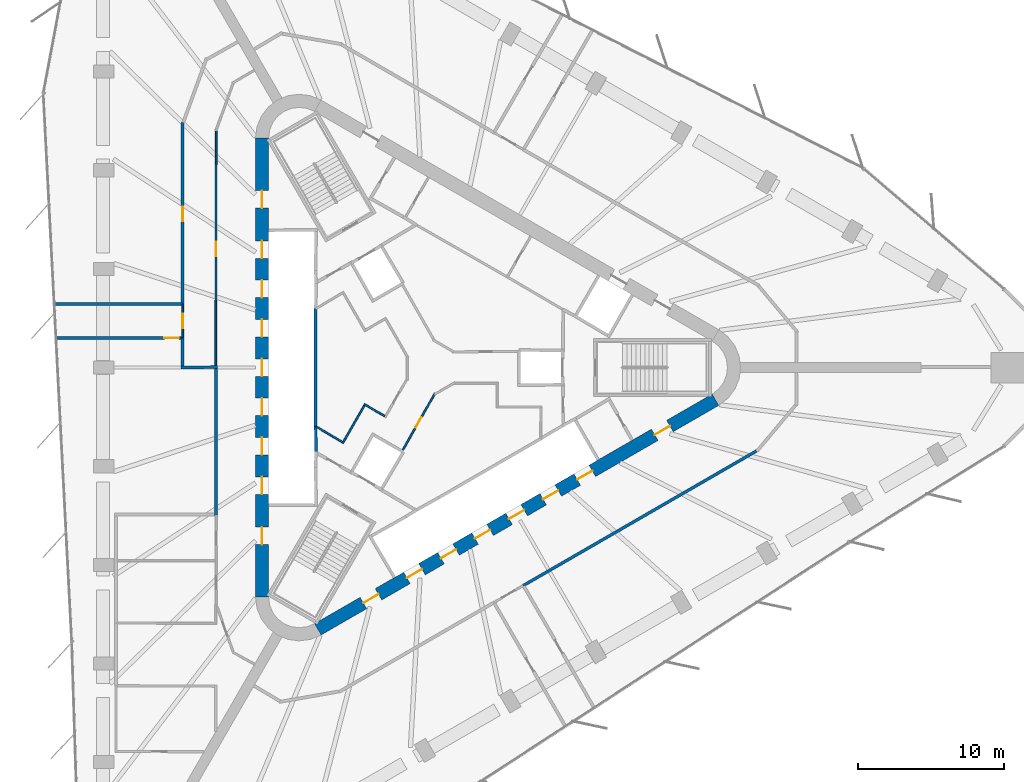
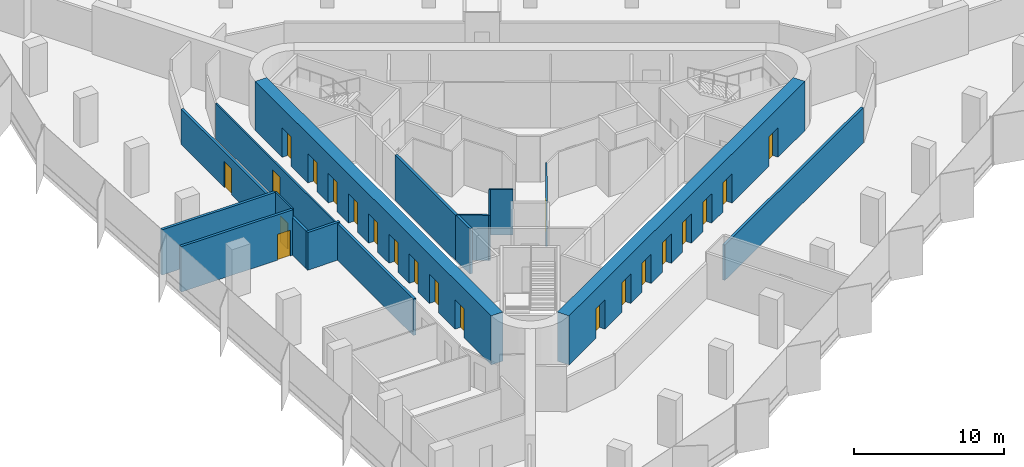
# One storey, part 9 of 13: 22 doors, 17 walls, 22 openings.
"""IFC4 building model written with IfcOpenShell, lengths in metres."""

import ifcopenshell
import ifcopenshell.guid

model = None  # the IFC model being written
_history = None  # IfcOwnerHistory: only IFC2X3 demands one
_inside = {}  # id of a spatial element -> (the spatial element, [elements in it])
_under = {}  # id of a project, library or spatial element -> (it, [spatial elements below it])
_declared = {}  # id of a project -> (the project, [libraries it declares])
_typed = {}  # id of a type object -> (the type object, [elements of that type])
_made_of = {}  # id of a material, layer set ... -> (it, [elements and type objects made of it])


def new_model(schema):
    """Start an empty IFC model of exactly this schema.

    Asked for "IFC4X3", IfcOpenShell would pick the latest addendum, in which some entities
    have other attributes; the version numbers below select the first issue.
    IFC2X3 requires an IfcOwnerHistory on every rooted entity: one is made here for all.
    """
    global model, _history
    if schema == "IFC4X3":
        model = ifcopenshell.file(schema_version=(4, 3, 0, 0))
    else:
        model = ifcopenshell.file(schema=schema)
    _inside.clear()
    _under.clear()
    _declared.clear()
    _typed.clear()
    _made_of.clear()
    _history = None
    if model.schema == "IFC2X3":
        org = make("IfcOrganization", Name="unknown")
        user = make(
            "IfcPersonAndOrganization",
            ThePerson=make("IfcPerson", FamilyName="unknown"),
            TheOrganization=org,
        )
        app = make(
            "IfcApplication",
            ApplicationDeveloper=org,
            Version="unknown",
            ApplicationFullName="unknown",
            ApplicationIdentifier="unknown",
        )
        _history = make(
            "IfcOwnerHistory",
            OwningUser=user,
            OwningApplication=app,
            ChangeAction="ADDED",
            CreationDate=0,
        )
    return model


def make(cls, **values):
    """One entity of the class cls with the attributes given. An attribute that is None is left unset."""
    return model.create_entity(
        cls, **{name: value for name, value in values.items() if value is not None}
    )


def rooted(cls, **values):
    """An entity with a GlobalId (a new one), such as an element, a storey or a relation."""
    return make(cls, GlobalId=ifcopenshell.guid.new(), OwnerHistory=_history, **values)


def si_unit(unit_type, name, prefix=None):
    """IfcSIUnit, for example si_unit("LENGTHUNIT", "METRE", prefix="MILLI")."""
    return make("IfcSIUnit", UnitType=unit_type, Prefix=prefix, Name=name)


def assignment(units):
    """IfcUnitAssignment: the units of a project."""
    return None if units is None else make("IfcUnitAssignment", Units=units)


def point(xyz):
    """IfcCartesianPoint."""
    return None if xyz is None else make("IfcCartesianPoint", Coordinates=xyz)


def direction(xyz):
    """IfcDirection."""
    return None if xyz is None else make("IfcDirection", DirectionRatios=xyz)


def frame(location, z_axis=None, x_axis=None):
    """IfcAxis2Placement3D, a coordinate frame: its origin and axes. An axis left out is left unset."""
    return make(
        "IfcAxis2Placement3D",
        Location=point(location),
        Axis=direction(z_axis),
        RefDirection=direction(x_axis),
    )


def frame_2d(location, x_axis=None):
    """IfcAxis2Placement2D, a coordinate frame in the plane: its origin and x axis."""
    return make(
        "IfcAxis2Placement2D", Location=point(location), RefDirection=direction(x_axis)
    )


def origin():
    """The frame at (0, 0, 0) with its axes left unset."""
    return frame((0.0, 0.0, 0.0))


def place(relative_to, where):
    """IfcLocalPlacement: puts the frame where relative to a parent placement (None: the world)."""
    return make(
        "IfcLocalPlacement", PlacementRelTo=relative_to, RelativePlacement=where
    )


def context(
    kind, dimensions, precision=None, world=None, true_north=None, identifier=None
):
    """IfcGeometricRepresentationContext, for example the 3D "Model" context."""
    return make(
        "IfcGeometricRepresentationContext",
        ContextIdentifier=identifier,
        ContextType=kind,
        CoordinateSpaceDimension=dimensions,
        Precision=precision,
        WorldCoordinateSystem=world,
        TrueNorth=true_north,
    )


def subcontext(parent, identifier, kind, view, scale=None):
    """IfcGeometricRepresentationSubContext, for example "Body" below "Model"."""
    return make(
        "IfcGeometricRepresentationSubContext",
        ContextIdentifier=identifier,
        ContextType=kind,
        ParentContext=parent,
        TargetScale=scale,
        TargetView=view,
    )


def project(units=None, contexts=None):
    """IfcProject with its units and contexts."""
    return rooted(
        "IfcProject",
        Name="project",
        RepresentationContexts=contexts,
        UnitsInContext=assignment(units),
    )


def spatial(cls, under=None, at=None, **own):
    """A site, building, storey or space (cls), placed at a placement, below another one or the project."""
    s = rooted(cls, ObjectPlacement=at, **own)
    if under is not None:
        _under.setdefault(under.id(), (under, []))[1].append(s)
    return s


def profile(cls, at=None, kind="AREA", **sizes):
    """A parametric profile (cls). Its sizes go by their IFC names, for example OverallWidth=200.0."""
    return make(cls, ProfileType=kind, Position=at, **sizes)


def rectangle(**sizes):
    """IfcRectangleProfileDef."""
    return profile("IfcRectangleProfileDef", **sizes)


def extrude(swept, where, along, depth):
    """IfcExtrudedAreaSolid: the profile swept, set in the frame where, extruded along a direction by depth."""
    return make(
        "IfcExtrudedAreaSolid",
        SweptArea=swept,
        Position=where,
        ExtrudedDirection=direction(along),
        Depth=depth,
    )


def shape(context_of_items, identifier, shape_type, items):
    """IfcShapeRepresentation: the items that make up one representation, for example the "Body"."""
    return make(
        "IfcShapeRepresentation",
        ContextOfItems=context_of_items,
        RepresentationIdentifier=identifier,
        RepresentationType=shape_type,
        Items=items,
    )


def material(Name=None, Category=None):
    """IfcMaterial."""
    return make("IfcMaterial", Name=Name, Category=Category)


def layer(
    of_material, thickness, ventilated=None, Name=None, Category=None, Priority=None
):
    """IfcMaterialLayer: one layer of a wall or slab, of a material (None: an air gap)."""
    return make(
        "IfcMaterialLayer",
        Material=of_material,
        LayerThickness=thickness,
        IsVentilated=ventilated,
        Name=Name,
        Category=Category,
        Priority=Priority,
    )


def layer_set(layers, Name=None):
    """IfcMaterialLayerSet."""
    return make("IfcMaterialLayerSet", MaterialLayers=layers, LayerSetName=Name)


def made_of(thing, what):
    """Note that an element or type object is made of a material, layer set ...; save() writes the relation."""
    if what is not None:
        _made_of.setdefault(what.id(), (what, []))[1].append(thing)
    return thing


def type_object(cls, material=None, **own):
    """A type object (cls), such as IfcWallType, which elements share."""
    return made_of(rooted(cls, **own), material)


def element(
    cls,
    number,
    at=None,
    inside=None,
    cuts=None,
    type_object=None,
    material=None,
    context=None,
    identifier="Body",
    shape_type=None,
    held_by="IfcProductDefinitionShape",
    body=None,
    shapes=None,
    **own,
):
    """One element of the class cls, such as IfcWall. Its Tag is "e" and its number.

    at: its placement. inside: the storey or other place that contains it. cuts: it is an
    opening in that element (IfcRelVoidsElement). A single representation is given by context,
    identifier, shape_type and body (its items); several are given by shapes. held_by: the class
    of the entity that holds the representations. save() writes the other relations.
    """
    e = rooted(cls, Tag="e%d" % number, ObjectPlacement=at, **own)
    if body is not None:
        shapes = [shape(context, identifier, shape_type, body)]
    if shapes is not None:
        e.Representation = make(held_by, Representations=shapes)
    if inside is not None:
        _inside.setdefault(inside.id(), (inside, []))[1].append(e)
    if cuts is not None:
        rooted(
            "IfcRelVoidsElement", RelatingBuildingElement=cuts, RelatedOpeningElement=e
        )
    if type_object is not None:
        _typed.setdefault(type_object.id(), (type_object, []))[1].append(e)
    return made_of(e, material)


def fill(opening, filler):
    """IfcRelFillsElement: the door or window that sits in an opening."""
    return rooted(
        "IfcRelFillsElement",
        RelatingOpeningElement=opening,
        RelatedBuildingElement=filler,
    )


def aggregate(whole, parts):
    """IfcRelAggregates: a whole, such as a stair, and the parts it consists of."""
    return rooted("IfcRelAggregates", RelatingObject=whole, RelatedObjects=parts)


def save(model, path):
    """Write the relations noted so far, then the file.

    IfcRelAggregates (storeys below a building ...), IfcRelContainedInSpatialStructure (elements
    in a storey), IfcRelDefinesByType, IfcRelAssociatesMaterial and IfcRelDeclares: one each for
    every whole, place, type object, material and project.
    """
    for whole, parts in _under.values():
        aggregate(whole, parts)
    for where, things in _inside.values():
        rooted(
            "IfcRelContainedInSpatialStructure",
            RelatedElements=things,
            RelatingStructure=where,
        )
    for kind, things in _typed.values():
        rooted("IfcRelDefinesByType", RelatedObjects=things, RelatingType=kind)
    for what, things in _made_of.values():
        rooted("IfcRelAssociatesMaterial", RelatedObjects=things, RelatingMaterial=what)
    for by, libraries in _declared.values():
        rooted("IfcRelDeclares", RelatingContext=by, RelatedDefinitions=libraries)
    model.write(path)


model = new_model("IFC4")

# Units and contexts
model_context = context("Model", 3, precision=1e-05, world=origin(), true_north=direction((0.0, 1.0)))
body_context = subcontext(model_context, "Body", "Model", "MODEL_VIEW")
ifc_project = project(units=[si_unit("LENGTHUNIT", "METRE"), si_unit("AREAUNIT", "SQUARE_METRE"), si_unit("VOLUMEUNIT", "CUBIC_METRE"), si_unit("PLANEANGLEUNIT", "RADIAN"), si_unit("MASSUNIT", "GRAM", prefix="KILO")], contexts=[model_context])

# Site, building, storey
site_placement = place(None, origin())
site = spatial("IfcSite", under=ifc_project, at=site_placement, CompositionType="ELEMENT")
building_placement = place(site_placement, origin())
building = spatial("IfcBuilding", under=site, at=building_placement, Name="Tanit Gate Tower", CompositionType="ELEMENT")
storey_placement = place(building_placement, frame((0.0, 0.0, 169.199951171875)))
storey = spatial("IfcBuildingStorey", under=building, at=storey_placement, Name="L36", CompositionType="ELEMENT", Elevation=169.199951171875)

# Wall, openings, doors
ifc_material_1 = material(Name="Concrete C50/60", Category="concrete")
ifc_layer_1 = layer(ifc_material_1, 0.89990234375)
ifc_layer_set_1 = layer_set([ifc_layer_1], Name="CORE WALL 900 C50/60")
wall_type_1 = type_object("IfcWallType", Name="CORE WALL 900 C50/60", PredefinedType="SHEAR", material=ifc_layer_set_1)
wall_1_placement = place(storey_placement, frame((-11.64990234375, 15.76171875, 0.0), z_axis=(0.0, 0.0, 1.0), x_axis=(0.0, -1.0, 0.0)))
wall_1 = element("IfcWall", 1, at=wall_1_placement, inside=storey, type_object=wall_type_1, Name="CORE WALL", PredefinedType="SHEAR", context=body_context, shape_type="SweptSolid", body=[
    extrude(rectangle(XDim=31.5234375, YDim=0.89990234375, at=frame_2d((15.76171875, 0.0))), origin(), (0.0, 0.0, 1.0), 4.0),
])
opening_1_placement = place(wall_1_placement, frame((7.061767578125, 0.0, 0.0)))
opening_1 = element("IfcOpeningElement", 2, at=opening_1_placement, cuts=wall_1, Name="Opening LDML1-S09", PredefinedType="OPENING", context=body_context, shape_type="SweptSolid", body=[
    extrude(rectangle(XDim=1.199951171875, YDim=2.39990234375, at=frame_2d((0.60009765625, 1.199951171875))), frame((0.0, 0.4599609375, 0.0), z_axis=(0.0, -1.0, 0.0), x_axis=(1.0, 0.0, 0.0)), (0.0, 0.0, 1.0), 0.919921875),
])
opening_2_placement = place(wall_1_placement, frame((9.76171875, 0.0, 0.0)))
opening_2 = element("IfcOpeningElement", 3, at=opening_2_placement, cuts=wall_1, Name="Opening LDML2-S09", PredefinedType="OPENING", context=body_context, shape_type="SweptSolid", body=[
    extrude(rectangle(XDim=1.199951171875, YDim=2.39990234375, at=frame_2d((0.60009765625, 1.199951171875))), frame((0.0, 0.4599609375, 0.0), z_axis=(0.0, -1.0, 0.0), x_axis=(1.0, 0.0, 0.0)), (0.0, 0.0, 1.0), 0.919921875),
])
opening_3_placement = place(wall_1_placement, frame((12.461669921875, 0.0, 0.0)))
opening_3 = element("IfcOpeningElement", 4, at=opening_3_placement, cuts=wall_1, Name="Opening LDML3-S09", PredefinedType="OPENING", context=body_context, shape_type="SweptSolid", body=[
    extrude(rectangle(XDim=1.199951171875, YDim=2.39990234375, at=frame_2d((0.60009765625, 1.199951171875))), frame((0.0, 0.4599609375, 0.0), z_axis=(0.0, -1.0, 0.0), x_axis=(1.0, 0.0, 0.0)), (0.0, 0.0, 1.0), 0.919921875),
])
opening_4_placement = place(wall_1_placement, frame((15.16162109375, 0.0, 0.0)))
opening_4 = element("IfcOpeningElement", 5, at=opening_4_placement, cuts=wall_1, Name="Opening LDML4-S09", PredefinedType="OPENING", context=body_context, shape_type="SweptSolid", body=[
    extrude(rectangle(XDim=1.199951171875, YDim=2.39990234375, at=frame_2d((0.60009765625, 1.199951171875))), frame((0.0, 0.4599609375, 0.0), z_axis=(0.0, -1.0, 0.0), x_axis=(1.0, 0.0, 0.0)), (0.0, 0.0, 1.0), 0.919921875),
])
opening_5_placement = place(wall_1_placement, frame((17.86181640625, 0.0, 0.0)))
opening_5 = element("IfcOpeningElement", 6, at=opening_5_placement, cuts=wall_1, Name="Opening LDML5-S09", PredefinedType="OPENING", context=body_context, shape_type="SweptSolid", body=[
    extrude(rectangle(XDim=1.199951171875, YDim=2.39990234375, at=frame_2d((0.60009765625, 1.199951171875))), frame((0.0, 0.4599609375, 0.0), z_axis=(0.0, -1.0, 0.0), x_axis=(1.0, 0.0, 0.0)), (0.0, 0.0, 1.0), 0.919921875),
])
opening_6_placement = place(wall_1_placement, frame((20.561767578125, 0.0, 0.0)))
opening_6 = element("IfcOpeningElement", 7, at=opening_6_placement, cuts=wall_1, Name="Opening LDML6-S09", PredefinedType="OPENING", context=body_context, shape_type="SweptSolid", body=[
    extrude(rectangle(XDim=1.199951171875, YDim=2.39990234375, at=frame_2d((0.60009765625, 1.199951171875))), frame((0.0, 0.4599609375, 0.0), z_axis=(0.0, -1.0, 0.0), x_axis=(1.0, 0.0, 0.0)), (0.0, 0.0, 1.0), 0.919921875),
])
opening_7_placement = place(wall_1_placement, frame((23.26171875, 0.0, 0.0)))
opening_7 = element("IfcOpeningElement", 8, at=opening_7_placement, cuts=wall_1, Name="Opening LDML7-S09", PredefinedType="OPENING", context=body_context, shape_type="SweptSolid", body=[
    extrude(rectangle(XDim=1.199951171875, YDim=2.39990234375, at=frame_2d((0.60009765625, 1.199951171875))), frame((0.0, 0.4599609375, 0.0), z_axis=(0.0, -1.0, 0.0), x_axis=(1.0, 0.0, 0.0)), (0.0, 0.0, 1.0), 0.919921875),
])
opening_8_placement = place(wall_1_placement, frame((3.61181640625, 0.0, 0.0)))
opening_8 = element("IfcOpeningElement", 9, at=opening_8_placement, cuts=wall_1, Name="Opening F12-S09-FL2", PredefinedType="OPENING", context=body_context, shape_type="SweptSolid", body=[
    extrude(rectangle(XDim=1.199951171875, YDim=2.39990234375, at=frame_2d((0.60009765625, 1.199951171875))), frame((0.0, 0.4599609375, 0.0), z_axis=(0.0, -1.0, 0.0), x_axis=(1.0, 0.0, 0.0)), (0.0, 0.0, 1.0), 0.919921875),
])
opening_9_placement = place(wall_1_placement, frame((26.711669921875, 0.0, 0.0)))
opening_9 = element("IfcOpeningElement", 10, at=opening_9_placement, cuts=wall_1, Name="Opening F12-S09-S3", PredefinedType="OPENING", context=body_context, shape_type="SweptSolid", body=[
    extrude(rectangle(XDim=1.199951171875, YDim=2.39990234375, at=frame_2d((0.60009765625, 1.199951171875))), frame((0.0, 0.4599609375, 0.0), z_axis=(0.0, -1.0, 0.0), x_axis=(1.0, 0.0, 0.0)), (0.0, 0.0, 1.0), 0.919921875),
])
ifc_material_2 = material(Name="Fire-rated steel door leaf", Category="steel")
door_type_1 = type_object("IfcDoorType", Name="INT-DOOR-FIRE-LOBBY-1200", OperationType="NOTDEFINED", PredefinedType="USERDEFINED", material=ifc_material_2)
door_1_placement = place(opening_8_placement, origin())
door_1 = element("IfcDoor", 11, at=door_1_placement, inside=storey, type_object=door_type_1, Name="Door F12-S09-FL2", ObjectType="FIRE DOOR", OperationType="SINGLE_SWING_RIGHT", OverallHeight=2.39990234375, OverallWidth=1.199951171875, PredefinedType="USERDEFINED", context=body_context, shape_type="SweptSolid", body=[
    extrude(rectangle(XDim=1.199951171875, YDim=2.39990234375, at=frame_2d((0.60009765625, 1.199951171875))), frame((0.0, 0.02490234375, 0.0), z_axis=(0.0, -1.0, 0.0), x_axis=(1.0, 0.0, 0.0)), (0.0, 0.0, 1.0), 0.050048828125),
])
fill(opening_8, door_1)
door_2_placement = place(opening_9_placement, origin())
door_2 = element("IfcDoor", 12, at=door_2_placement, inside=storey, type_object=door_type_1, Name="Door F12-S09-S3", ObjectType="FIRE DOOR", OperationType="SINGLE_SWING_RIGHT", OverallHeight=2.39990234375, OverallWidth=1.199951171875, PredefinedType="USERDEFINED", context=body_context, shape_type="SweptSolid", body=[
    extrude(rectangle(XDim=1.199951171875, YDim=2.39990234375, at=frame_2d((0.60009765625, 1.199951171875))), frame((0.0, 0.02490234375, 0.0), z_axis=(0.0, -1.0, 0.0), x_axis=(1.0, 0.0, 0.0)), (0.0, 0.0, 1.0), 0.050048828125),
])
fill(opening_9, door_2)
ifc_material_3 = material(Name="Stainless steel sliding door leaf", Category="steel")
door_type_2 = type_object("IfcDoorType", Name="INT-DOOR-LANDING-1200", OperationType="NOTDEFINED", PredefinedType="USERDEFINED", material=ifc_material_3)
door_3_placement = place(opening_1_placement, origin())
door_3 = element("IfcDoor", 13, at=door_3_placement, inside=storey, type_object=door_type_2, Name="Door LDML1-S09", ObjectType="LANDING DOOR", OperationType="SLIDING_TO_LEFT", OverallHeight=2.39990234375, OverallWidth=1.199951171875, PredefinedType="USERDEFINED", context=body_context, shape_type="SweptSolid", body=[
    extrude(rectangle(XDim=1.199951171875, YDim=2.39990234375, at=frame_2d((0.60009765625, 1.199951171875))), frame((0.0, 0.02490234375, 0.0), z_axis=(0.0, -1.0, 0.0), x_axis=(1.0, 0.0, 0.0)), (0.0, 0.0, 1.0), 0.050048828125),
])
fill(opening_1, door_3)
door_4_placement = place(opening_2_placement, origin())
door_4 = element("IfcDoor", 14, at=door_4_placement, inside=storey, type_object=door_type_2, Name="Door LDML2-S09", ObjectType="LANDING DOOR", OperationType="SLIDING_TO_LEFT", OverallHeight=2.39990234375, OverallWidth=1.199951171875, PredefinedType="USERDEFINED", context=body_context, shape_type="SweptSolid", body=[
    extrude(rectangle(XDim=1.199951171875, YDim=2.39990234375, at=frame_2d((0.60009765625, 1.199951171875))), frame((0.0, 0.02490234375, 0.0), z_axis=(0.0, -1.0, 0.0), x_axis=(1.0, 0.0, 0.0)), (0.0, 0.0, 1.0), 0.050048828125),
])
fill(opening_2, door_4)
door_5_placement = place(opening_3_placement, origin())
door_5 = element("IfcDoor", 15, at=door_5_placement, inside=storey, type_object=door_type_2, Name="Door LDML3-S09", ObjectType="LANDING DOOR", OperationType="SLIDING_TO_LEFT", OverallHeight=2.39990234375, OverallWidth=1.199951171875, PredefinedType="USERDEFINED", context=body_context, shape_type="SweptSolid", body=[
    extrude(rectangle(XDim=1.199951171875, YDim=2.39990234375, at=frame_2d((0.60009765625, 1.199951171875))), frame((0.0, 0.02490234375, 0.0), z_axis=(0.0, -1.0, 0.0), x_axis=(1.0, 0.0, 0.0)), (0.0, 0.0, 1.0), 0.050048828125),
])
fill(opening_3, door_5)
door_6_placement = place(opening_4_placement, origin())
door_6 = element("IfcDoor", 16, at=door_6_placement, inside=storey, type_object=door_type_2, Name="Door LDML4-S09", ObjectType="LANDING DOOR", OperationType="SLIDING_TO_LEFT", OverallHeight=2.39990234375, OverallWidth=1.199951171875, PredefinedType="USERDEFINED", context=body_context, shape_type="SweptSolid", body=[
    extrude(rectangle(XDim=1.199951171875, YDim=2.39990234375, at=frame_2d((0.60009765625, 1.199951171875))), frame((0.0, 0.02490234375, 0.0), z_axis=(0.0, -1.0, 0.0), x_axis=(1.0, 0.0, 0.0)), (0.0, 0.0, 1.0), 0.050048828125),
])
fill(opening_4, door_6)
door_7_placement = place(opening_5_placement, origin())
door_7 = element("IfcDoor", 17, at=door_7_placement, inside=storey, type_object=door_type_2, Name="Door LDML5-S09", ObjectType="LANDING DOOR", OperationType="SLIDING_TO_LEFT", OverallHeight=2.39990234375, OverallWidth=1.199951171875, PredefinedType="USERDEFINED", context=body_context, shape_type="SweptSolid", body=[
    extrude(rectangle(XDim=1.199951171875, YDim=2.39990234375, at=frame_2d((0.60009765625, 1.199951171875))), frame((0.0, 0.02490234375, 0.0), z_axis=(0.0, -1.0, 0.0), x_axis=(1.0, 0.0, 0.0)), (0.0, 0.0, 1.0), 0.050048828125),
])
fill(opening_5, door_7)
door_8_placement = place(opening_6_placement, origin())
door_8 = element("IfcDoor", 18, at=door_8_placement, inside=storey, type_object=door_type_2, Name="Door LDML6-S09", ObjectType="LANDING DOOR", OperationType="SLIDING_TO_LEFT", OverallHeight=2.39990234375, OverallWidth=1.199951171875, PredefinedType="USERDEFINED", context=body_context, shape_type="SweptSolid", body=[
    extrude(rectangle(XDim=1.199951171875, YDim=2.39990234375, at=frame_2d((0.60009765625, 1.199951171875))), frame((0.0, 0.02490234375, 0.0), z_axis=(0.0, -1.0, 0.0), x_axis=(1.0, 0.0, 0.0)), (0.0, 0.0, 1.0), 0.050048828125),
])
fill(opening_6, door_8)
door_9_placement = place(opening_7_placement, origin())
door_9 = element("IfcDoor", 19, at=door_9_placement, inside=storey, type_object=door_type_2, Name="Door LDML7-S09", ObjectType="LANDING DOOR", OperationType="SLIDING_TO_LEFT", OverallHeight=2.39990234375, OverallWidth=1.199951171875, PredefinedType="USERDEFINED", context=body_context, shape_type="SweptSolid", body=[
    extrude(rectangle(XDim=1.199951171875, YDim=2.39990234375, at=frame_2d((0.60009765625, 1.199951171875))), frame((0.0, 0.02490234375, 0.0), z_axis=(0.0, -1.0, 0.0), x_axis=(1.0, 0.0, 0.0)), (0.0, 0.0, 1.0), 0.050048828125),
])
fill(opening_7, door_9)

wall_2_placement = place(storey_placement, frame((-7.824951171875, -17.969970703125, 0.0), z_axis=(0.0, 0.0, 1.0), x_axis=(0.866028369851, 0.499994862586, 0.0)))
wall_2 = element("IfcWall", 20, at=wall_2_placement, inside=storey, type_object=wall_type_1, Name="CORE WALL", PredefinedType="SHEAR", context=body_context, shape_type="SweptSolid", body=[
    extrude(rectangle(XDim=31.523193359375, YDim=0.89990234375, at=frame_2d((15.76171875, 0.0))), origin(), (0.0, 0.0, 1.0), 4.0),
])
opening_10_placement = place(wall_2_placement, frame((7.061767578125, 0.0, 0.0)))
opening_10 = element("IfcOpeningElement", 21, at=opening_10_placement, cuts=wall_2, Name="Opening LDSX1-S09", PredefinedType="OPENING", context=body_context, shape_type="SweptSolid", body=[
    extrude(rectangle(XDim=1.199951171875, YDim=2.39990234375, at=frame_2d((0.60009765625, 1.199951171875))), frame((0.0, 0.4599609375, 0.0), z_axis=(0.0, -1.0, 0.0), x_axis=(1.0, 0.0, 0.0)), (0.0, 0.0, 1.0), 0.919921875),
])
opening_11_placement = place(wall_2_placement, frame((9.76171875, 0.0, 0.0)))
opening_11 = element("IfcOpeningElement", 22, at=opening_11_placement, cuts=wall_2, Name="Opening LDSX2-S09", PredefinedType="OPENING", context=body_context, shape_type="SweptSolid", body=[
    extrude(rectangle(XDim=1.199951171875, YDim=2.39990234375, at=frame_2d((0.60009765625, 1.199951171875))), frame((0.0, 0.4599609375, 0.0), z_axis=(0.0, -1.0, 0.0), x_axis=(1.0, 0.0, 0.0)), (0.0, 0.0, 1.0), 0.919921875),
])
opening_12_placement = place(wall_2_placement, frame((12.461669921875, 0.0, 0.0)))
opening_12 = element("IfcOpeningElement", 23, at=opening_12_placement, cuts=wall_2, Name="Opening LDSX3-S09", PredefinedType="OPENING", context=body_context, shape_type="SweptSolid", body=[
    extrude(rectangle(XDim=1.199951171875, YDim=2.39990234375, at=frame_2d((0.60009765625, 1.199951171875))), frame((0.0, 0.4599609375, 0.0), z_axis=(0.0, -1.0, 0.0), x_axis=(1.0, 0.0, 0.0)), (0.0, 0.0, 1.0), 0.919921875),
])
opening_13_placement = place(wall_2_placement, frame((15.16162109375, 0.0, 0.0)))
opening_13 = element("IfcOpeningElement", 24, at=opening_13_placement, cuts=wall_2, Name="Opening LDSX4-S09", PredefinedType="OPENING", context=body_context, shape_type="SweptSolid", body=[
    extrude(rectangle(XDim=1.199951171875, YDim=2.39990234375, at=frame_2d((0.60009765625, 1.199951171875))), frame((0.0, 0.4599609375, 0.0), z_axis=(0.0, -1.0, 0.0), x_axis=(1.0, 0.0, 0.0)), (0.0, 0.0, 1.0), 0.919921875),
])
opening_14_placement = place(wall_2_placement, frame((17.861572265625, 0.0, 0.0)))
opening_14 = element("IfcOpeningElement", 25, at=opening_14_placement, cuts=wall_2, Name="Opening LDSV1-S09", PredefinedType="OPENING", context=body_context, shape_type="SweptSolid", body=[
    extrude(rectangle(XDim=1.199951171875, YDim=2.39990234375, at=frame_2d((0.60009765625, 1.199951171875))), frame((0.0, 0.4599609375, 0.0), z_axis=(0.0, -1.0, 0.0), x_axis=(1.0, 0.0, 0.0)), (0.0, 0.0, 1.0), 0.919921875),
])
opening_15_placement = place(wall_2_placement, frame((20.561767578125, 0.0, 0.0)))
opening_15 = element("IfcOpeningElement", 26, at=opening_15_placement, cuts=wall_2, Name="Opening LDSV2-S09", PredefinedType="OPENING", context=body_context, shape_type="SweptSolid", body=[
    extrude(rectangle(XDim=1.199951171875, YDim=2.39990234375, at=frame_2d((0.60009765625, 1.199951171875))), frame((0.0, 0.4599609375, 0.0), z_axis=(0.0, -1.0, 0.0), x_axis=(1.0, 0.0, 0.0)), (0.0, 0.0, 1.0), 0.919921875),
])
opening_16_placement = place(wall_2_placement, frame((26.711669921875, 0.0, 0.0)))
opening_16 = element("IfcOpeningElement", 27, at=opening_16_placement, cuts=wall_2, Name="Opening F12-S09-S1", PredefinedType="OPENING", context=body_context, shape_type="SweptSolid", body=[
    extrude(rectangle(XDim=1.199951171875, YDim=2.39990234375, at=frame_2d((0.60009765625, 1.199951171875))), frame((0.0, 0.4599609375, 0.0), z_axis=(0.0, -1.0, 0.0), x_axis=(1.0, 0.0, 0.0)), (0.0, 0.0, 1.0), 0.919921875),
])
opening_17_placement = place(wall_2_placement, frame((3.611572265625, 0.0, 0.0)))
opening_17 = element("IfcOpeningElement", 28, at=opening_17_placement, cuts=wall_2, Name="Opening F12-S09-FL3", PredefinedType="OPENING", context=body_context, shape_type="SweptSolid", body=[
    extrude(rectangle(XDim=1.199951171875, YDim=2.39990234375, at=frame_2d((0.60009765625, 1.199951171875))), frame((0.0, 0.4599609375, 0.0), z_axis=(0.0, -1.0, 0.0), x_axis=(1.0, 0.0, 0.0)), (0.0, 0.0, 1.0), 0.919921875),
])
door_10_placement = place(opening_16_placement, origin())
door_10 = element("IfcDoor", 29, at=door_10_placement, inside=storey, type_object=door_type_1, Name="Door F12-S09-S1", ObjectType="FIRE DOOR", OperationType="SINGLE_SWING_RIGHT", OverallHeight=2.39990234375, OverallWidth=1.199951171875, PredefinedType="USERDEFINED", context=body_context, shape_type="SweptSolid", body=[
    extrude(rectangle(XDim=1.199951171875, YDim=2.39990234375, at=frame_2d((0.60009765625, 1.199951171875))), frame((0.0, 0.02490234375, 0.0), z_axis=(0.0, -1.0, 0.0), x_axis=(1.0, 0.0, 0.0)), (0.0, 0.0, 1.0), 0.050048828125),
])
fill(opening_16, door_10)
door_11_placement = place(opening_17_placement, origin())
door_11 = element("IfcDoor", 30, at=door_11_placement, inside=storey, type_object=door_type_1, Name="Door F12-S09-FL3", ObjectType="FIRE DOOR", OperationType="SINGLE_SWING_RIGHT", OverallHeight=2.39990234375, OverallWidth=1.199951171875, PredefinedType="USERDEFINED", context=body_context, shape_type="SweptSolid", body=[
    extrude(rectangle(XDim=1.199951171875, YDim=2.39990234375, at=frame_2d((0.60009765625, 1.199951171875))), frame((0.0, 0.02490234375, 0.0), z_axis=(0.0, -1.0, 0.0), x_axis=(1.0, 0.0, 0.0)), (0.0, 0.0, 1.0), 0.050048828125),
])
fill(opening_17, door_11)
door_12_placement = place(opening_10_placement, origin())
door_12 = element("IfcDoor", 31, at=door_12_placement, inside=storey, type_object=door_type_2, Name="Door LDSX1-S09", ObjectType="LANDING DOOR", OperationType="SLIDING_TO_LEFT", OverallHeight=2.39990234375, OverallWidth=1.199951171875, PredefinedType="USERDEFINED", context=body_context, shape_type="SweptSolid", body=[
    extrude(rectangle(XDim=1.199951171875, YDim=2.39990234375, at=frame_2d((0.60009765625, 1.199951171875))), frame((0.0, 0.02490234375, 0.0), z_axis=(0.0, -1.0, 0.0), x_axis=(1.0, 0.0, 0.0)), (0.0, 0.0, 1.0), 0.050048828125),
])
fill(opening_10, door_12)
door_13_placement = place(opening_11_placement, origin())
door_13 = element("IfcDoor", 32, at=door_13_placement, inside=storey, type_object=door_type_2, Name="Door LDSX2-S09", ObjectType="LANDING DOOR", OperationType="SLIDING_TO_LEFT", OverallHeight=2.39990234375, OverallWidth=1.199951171875, PredefinedType="USERDEFINED", context=body_context, shape_type="SweptSolid", body=[
    extrude(rectangle(XDim=1.199951171875, YDim=2.39990234375, at=frame_2d((0.60009765625, 1.199951171875))), frame((0.0, 0.02490234375, 0.0), z_axis=(0.0, -1.0, 0.0), x_axis=(1.0, 0.0, 0.0)), (0.0, 0.0, 1.0), 0.050048828125),
])
fill(opening_11, door_13)
door_14_placement = place(opening_12_placement, origin())
door_14 = element("IfcDoor", 33, at=door_14_placement, inside=storey, type_object=door_type_2, Name="Door LDSX3-S09", ObjectType="LANDING DOOR", OperationType="SLIDING_TO_LEFT", OverallHeight=2.39990234375, OverallWidth=1.199951171875, PredefinedType="USERDEFINED", context=body_context, shape_type="SweptSolid", body=[
    extrude(rectangle(XDim=1.199951171875, YDim=2.39990234375, at=frame_2d((0.60009765625, 1.199951171875))), frame((0.0, 0.02490234375, 0.0), z_axis=(0.0, -1.0, 0.0), x_axis=(1.0, 0.0, 0.0)), (0.0, 0.0, 1.0), 0.050048828125),
])
fill(opening_12, door_14)
door_15_placement = place(opening_13_placement, origin())
door_15 = element("IfcDoor", 34, at=door_15_placement, inside=storey, type_object=door_type_2, Name="Door LDSX4-S09", ObjectType="LANDING DOOR", OperationType="SLIDING_TO_LEFT", OverallHeight=2.39990234375, OverallWidth=1.199951171875, PredefinedType="USERDEFINED", context=body_context, shape_type="SweptSolid", body=[
    extrude(rectangle(XDim=1.199951171875, YDim=2.39990234375, at=frame_2d((0.60009765625, 1.199951171875))), frame((0.0, 0.02490234375, 0.0), z_axis=(0.0, -1.0, 0.0), x_axis=(1.0, 0.0, 0.0)), (0.0, 0.0, 1.0), 0.050048828125),
])
fill(opening_13, door_15)
door_16_placement = place(opening_14_placement, origin())
door_16 = element("IfcDoor", 35, at=door_16_placement, inside=storey, type_object=door_type_2, Name="Door LDSV1-S09", ObjectType="LANDING DOOR", OperationType="SLIDING_TO_LEFT", OverallHeight=2.39990234375, OverallWidth=1.199951171875, PredefinedType="USERDEFINED", context=body_context, shape_type="SweptSolid", body=[
    extrude(rectangle(XDim=1.199951171875, YDim=2.39990234375, at=frame_2d((0.60009765625, 1.199951171875))), frame((0.0, 0.02490234375, 0.0), z_axis=(0.0, -1.0, 0.0), x_axis=(1.0, 0.0, 0.0)), (0.0, 0.0, 1.0), 0.050048828125),
])
fill(opening_14, door_16)
door_17_placement = place(opening_15_placement, origin())
door_17 = element("IfcDoor", 36, at=door_17_placement, inside=storey, type_object=door_type_2, Name="Door LDSV2-S09", ObjectType="LANDING DOOR", OperationType="SLIDING_TO_LEFT", OverallHeight=2.39990234375, OverallWidth=1.199951171875, PredefinedType="USERDEFINED", context=body_context, shape_type="SweptSolid", body=[
    extrude(rectangle(XDim=1.199951171875, YDim=2.39990234375, at=frame_2d((0.60009765625, 1.199951171875))), frame((0.0, 0.02490234375, 0.0), z_axis=(0.0, -1.0, 0.0), x_axis=(1.0, 0.0, 0.0)), (0.0, 0.0, 1.0), 0.050048828125),
])
fill(opening_15, door_17)

# Wall
ifc_material_4 = material(Name="Fire-rated gypsum board partition")
ifc_layer_2 = layer(ifc_material_4, 0.199951171875)
ifc_layer_set_2 = layer_set([ifc_layer_2], Name="INT-WALL-COMPARTMENT")
wall_type_2 = type_object("IfcWallType", Name="INT-WALL-COMPARTMENT", PredefinedType="PARTITIONING", material=ifc_layer_set_2)
wall_3_placement = place(storey_placement, frame((-17.199951171875, -0.001220703125, 0.0), z_axis=(0.0, 0.0, 1.0), x_axis=(0.999915662945, 0.012987185857, 0.0)))
element("IfcWall", 37, at=wall_3_placement, inside=storey, type_object=wall_type_2, Name="Wall Compartment W087", PredefinedType="PARTITIONING", context=body_context, shape_type="SweptSolid", body=[
    extrude(rectangle(XDim=2.500244140625, YDim=0.199951171875, at=frame_2d((1.25, 0.0))), origin(), (0.0, 0.0, 1.0), 3.070068359375),
])

# Wall, opening, door
wall_4_placement = place(storey_placement, frame((-17.10009765625, 16.82275390625, 0.0), z_axis=(0.0, 0.0, 1.0), x_axis=(0.0, -1.0, 0.0)))
wall_4 = element("IfcWall", 38, at=wall_4_placement, inside=storey, type_object=wall_type_2, Name="Wall Compartment W089", PredefinedType="PARTITIONING", context=body_context, shape_type="SweptSolid", body=[
    extrude(rectangle(XDim=12.47265625, YDim=0.199951171875, at=frame_2d((6.236328125, 0.0))), origin(), (0.0, 0.0, 1.0), 2.880126953125),
])
opening_18_placement = place(wall_4_placement, frame((5.7763671875, 0.0, 0.0)))
opening_18 = element("IfcOpeningElement", 39, at=opening_18_placement, cuts=wall_4, Name="Opening F10-S09-25", PredefinedType="OPENING", context=body_context, shape_type="SweptSolid", body=[
    extrude(rectangle(XDim=1.0, YDim=2.10009765625, at=frame_2d((0.5, 1.050048828125))), frame((0.0, 0.10986328125, 0.0), z_axis=(0.0, -1.0, 0.0), x_axis=(1.0, 0.0, 0.0)), (0.0, 0.0, 1.0), 0.219970703125),
])
ifc_material_5 = material(Name="Fire-rated steel door leaf", Category="steel")
door_type_3 = type_object("IfcDoorType", Name="INT-DOOR-FIRE-1000", OperationType="NOTDEFINED", PredefinedType="USERDEFINED", material=ifc_material_5)
door_18_placement = place(opening_18_placement, origin())
door_18 = element("IfcDoor", 40, at=door_18_placement, inside=storey, type_object=door_type_3, Name="Door F10-S09-25", ObjectType="FIRE DOOR", OperationType="SINGLE_SWING_LEFT", OverallHeight=2.10009765625, OverallWidth=1.0, PredefinedType="USERDEFINED", context=body_context, shape_type="SweptSolid", body=[
    extrude(rectangle(XDim=1.0, YDim=2.10009765625, at=frame_2d((0.5, 1.050048828125))), frame((0.0, 0.02490234375, 0.0), z_axis=(0.0, -1.0, 0.0), x_axis=(1.0, 0.0, 0.0)), (0.0, 0.0, 1.0), 0.050048828125),
])
fill(opening_18, door_18)

# Walls
wall_5_placement = place(storey_placement, frame((-17.10009765625, 2.050048828125, 0.0), z_axis=(0.0, 0.0, 1.0), x_axis=(0.0, -1.0, 0.0)))
element("IfcWall", 41, at=wall_5_placement, inside=storey, type_object=wall_type_2, Name="Wall Compartment W088", PredefinedType="PARTITIONING", context=body_context, shape_type="SweptSolid", body=[
    extrude(rectangle(XDim=1.949951171875, YDim=0.199951171875, at=frame_2d((0.97509765625, 0.0))), origin(), (0.0, 0.0, 1.0), 3.070068359375),
])
wall_6_placement = place(storey_placement, frame((-14.800048828125, -0.070068359375, 0.0), z_axis=(0.0, 0.0, 1.0), x_axis=(0.0, -1.0, 0.0)))
element("IfcWall", 42, at=wall_6_placement, inside=storey, type_object=wall_type_2, Name="Wall Compartment W092", PredefinedType="PARTITIONING", context=body_context, shape_type="SweptSolid", body=[
    extrude(rectangle(XDim=10.1298828125, YDim=0.199951171875, at=frame_2d((5.06494140625, 0.0))), origin(), (0.0, 0.0, 1.0), 2.97998046875),
])
wall_7_placement = place(storey_placement, frame((6.274658203125, -14.968017578125, 0.0), z_axis=(0.0, 0.0, 1.0), x_axis=(0.866028424491, 0.499994767946, 0.0)))
element("IfcWall", 43, at=wall_7_placement, inside=storey, type_object=wall_type_2, Name="Wall Compartment W107", PredefinedType="PARTITIONING", context=body_context, shape_type="SweptSolid", body=[
    extrude(rectangle(XDim=18.496337890625, YDim=0.199951171875, at=frame_2d((9.248046875, 0.0))), origin(), (0.0, 0.0, 1.0), 2.880126953125),
])

# Wall, opening, door
wall_8_placement = place(storey_placement, frame((-25.783935546875, 2.030029296875, 0.0), z_axis=(0.0, 0.0, 1.0), x_axis=(1.0, 0.0, 0.0)))
wall_8 = element("IfcWall", 44, at=wall_8_placement, inside=storey, type_object=wall_type_2, Name="Wall Compartment W111", PredefinedType="PARTITIONING", context=body_context, shape_type="SweptSolid", body=[
    extrude(rectangle(XDim=8.6240234375, YDim=0.199951171875, at=frame_2d((4.31201171875, 0.0))), origin(), (0.0, 0.0, 1.0), 3.699951171875),
])
opening_19_placement = place(wall_8_placement, frame((7.423828125, 0.0, 0.0)))
opening_19 = element("IfcOpeningElement", 45, at=opening_19_placement, cuts=wall_8, Name="Opening F10-S09-24", PredefinedType="OPENING", context=body_context, shape_type="SweptSolid", body=[
    extrude(rectangle(XDim=1.0, YDim=2.10009765625, at=frame_2d((0.5, 1.050048828125))), frame((0.0, 0.10986328125, 0.0), z_axis=(0.0, -1.0, 0.0), x_axis=(1.0, 0.0, 0.0)), (0.0, 0.0, 1.0), 0.219970703125),
])
door_19_placement = place(opening_19_placement, origin())
door_19 = element("IfcDoor", 46, at=door_19_placement, inside=storey, type_object=door_type_3, Name="Door F10-S09-24", ObjectType="FIRE DOOR", OperationType="SINGLE_SWING_RIGHT", OverallHeight=2.10009765625, OverallWidth=1.0, PredefinedType="USERDEFINED", context=body_context, shape_type="SweptSolid", body=[
    extrude(rectangle(XDim=1.0, YDim=2.10009765625, at=frame_2d((0.5, 1.050048828125))), frame((0.0, 0.02490234375, 0.0), z_axis=(0.0, -1.0, 0.0), x_axis=(1.0, 0.0, 0.0)), (0.0, 0.0, 1.0), 0.050048828125),
])
fill(opening_19, door_19)

# Wall
wall_9_placement = place(storey_placement, frame((-17.159912109375, 4.3701171875, 0.0), z_axis=(0.0, 0.0, 1.0), x_axis=(-1.0, 0.0, 0.0)))
element("IfcWall", 47, at=wall_9_placement, inside=storey, type_object=wall_type_2, Name="Wall Compartment W112", PredefinedType="PARTITIONING", context=body_context, shape_type="SweptSolid", body=[
    extrude(rectangle(XDim=8.745361328125, YDim=0.199951171875, at=frame_2d((4.37255859375, 0.0))), origin(), (0.0, 0.0, 1.0), 3.699951171875),
])

# Wall, opening, door
ifc_material_6 = material(Name="Gypsum board partition")
ifc_layer_3 = layer(ifc_material_6, 0.1201171875)
ifc_layer_set_3 = layer_set([ifc_layer_3], Name="INT-WALL-PARTITION")
wall_type_3 = type_object("IfcWallType", Name="INT-WALL-PARTITION", PredefinedType="PARTITIONING", material=ifc_layer_set_3)
wall_10_placement = place(storey_placement, frame((0.223876953125, -1.760986328125, 0.0), z_axis=(0.0, 0.0, 1.0), x_axis=(-0.494327216836, -0.869275907118, 0.0)))
wall_10 = element("IfcWall", 48, at=wall_10_placement, inside=storey, type_object=wall_type_3, Name="Wall Partition W068", PredefinedType="PARTITIONING", context=body_context, shape_type="SweptSolid", body=[
    extrude(rectangle(XDim=4.487060546875, YDim=0.1201171875, at=frame_2d((2.24365234375, 0.0))), origin(), (0.0, 0.0, 1.0), 3.699951171875),
])
opening_20_placement = place(wall_10_placement, frame((1.89453125, 0.0, 0.0)))
opening_20 = element("IfcOpeningElement", 49, at=opening_20_placement, cuts=wall_10, Name="Opening R08-S09-11", PredefinedType="OPENING", context=body_context, shape_type="SweptSolid", body=[
    extrude(rectangle(XDim=0.800048828125, YDim=2.10009765625, at=frame_2d((0.39990234375, 1.050048828125))), frame((0.0, 0.070068359375, 0.0), z_axis=(0.0, -1.0, 0.0), x_axis=(1.0, 0.0, 0.0)), (0.0, 0.0, 1.0), 0.14013671875),
])
ifc_material_7 = material(Name="Timber door leaf", Category="wood")
door_type_4 = type_object("IfcDoorType", Name="INT-DOOR-RISER-800", OperationType="NOTDEFINED", PredefinedType="USERDEFINED", material=ifc_material_7)
door_20_placement = place(opening_20_placement, origin())
door_20 = element("IfcDoor", 50, at=door_20_placement, inside=storey, type_object=door_type_4, Name="Door R08-S09-11", ObjectType="FIRE DOOR", OperationType="SINGLE_SWING_LEFT", OverallHeight=2.10009765625, OverallWidth=0.800048828125, PredefinedType="USERDEFINED", context=body_context, shape_type="SweptSolid", body=[
    extrude(rectangle(XDim=0.800048828125, YDim=2.10009765625, at=frame_2d((0.39990234375, 1.050048828125))), frame((0.0, 0.02490234375, 0.0), z_axis=(0.0, -1.0, 0.0), x_axis=(1.0, 0.0, 0.0)), (0.0, 0.0, 1.0), 0.050048828125),
])
fill(opening_20, door_20)

# Walls
wall_11_placement = place(storey_placement, frame((-4.64013671875, -2.51708984375, 0.0), z_axis=(0.0, 0.0, 1.0), x_axis=(0.866015446554, -0.500017246033, 0.0)))
element("IfcWall", 51, at=wall_11_placement, inside=storey, type_object=wall_type_3, Name="Wall Partition W080", PredefinedType="PARTITIONING", context=body_context, shape_type="SweptSolid", body=[
    extrude(rectangle(XDim=1.625, YDim=0.1201171875, at=frame_2d((0.8125, 0.0))), origin(), (0.0, 0.0, 1.0), 3.699951171875),
])
wall_12_placement = place(storey_placement, frame((-6.1181640625, -5.197265625, 0.0), z_axis=(0.0, 0.0, 1.0), x_axis=(0.499990139034, 0.866031096941, 0.0)))
element("IfcWall", 52, at=wall_12_placement, inside=storey, type_object=wall_type_3, Name="Wall Partition W081", PredefinedType="PARTITIONING", context=body_context, shape_type="SweptSolid", body=[
    extrude(rectangle(XDim=3.0, YDim=0.1201171875, at=frame_2d((1.5, 0.0))), origin(), (0.0, 0.0, 1.0), 3.699951171875),
])
wall_13_placement = place(storey_placement, frame((-7.949951171875, -4.041015625, 0.0), z_axis=(0.0, 0.0, 1.0), x_axis=(0.860112457103, -0.510104461004, 0.0)))
element("IfcWall", 53, at=wall_13_placement, inside=storey, type_object=wall_type_3, Name="Wall Partition W082", PredefinedType="PARTITIONING", context=body_context, shape_type="SweptSolid", body=[
    extrude(rectangle(XDim=2.1044921875, YDim=0.1201171875, at=frame_2d((1.05224609375, 0.0))), origin(), (0.0, 0.0, 1.0), 3.699951171875),
])

# Wall, opening, door
wall_14_placement = place(storey_placement, frame((-14.800048828125, 16.257080078125, 0.0), z_axis=(0.0, 0.0, 1.0), x_axis=(-0.001847148781, -0.999998294019, 0.0)))
wall_14 = element("IfcWall", 54, at=wall_14_placement, inside=storey, type_object=wall_type_3, Name="Wall Partition W085", PredefinedType="PARTITIONING", context=body_context, shape_type="SweptSolid", body=[
    extrude(rectangle(XDim=16.257080078125, YDim=0.1201171875, at=frame_2d((8.12841796875, 0.0))), origin(), (0.0, 0.0, 1.0), 2.880126953125),
])
opening_21_placement = place(wall_14_placement, frame((7.628662109375, 0.0, 0.0)))
opening_21 = element("IfcOpeningElement", 55, at=opening_21_placement, cuts=wall_14, Name="Opening D10-S09-16", PredefinedType="OPENING", context=body_context, shape_type="SweptSolid", body=[
    extrude(rectangle(XDim=1.0, YDim=2.10009765625, at=frame_2d((0.5, 1.050048828125))), frame((0.0, 0.070068359375, 0.0), z_axis=(0.0, -1.0, 0.0), x_axis=(1.0, 0.0, 0.0)), (0.0, 0.0, 1.0), 0.14013671875),
])
ifc_material_8 = material(Name="Timber door leaf", Category="wood")
door_type_5 = type_object("IfcDoorType", Name="INT-DOOR-SINGLE-1000", OperationType="NOTDEFINED", PredefinedType="NOTDEFINED", material=ifc_material_8)
door_21_placement = place(opening_21_placement, origin())
door_21 = element("IfcDoor", 56, at=door_21_placement, inside=storey, type_object=door_type_5, Name="Door D10-S09-16", OperationType="SINGLE_SWING_LEFT", OverallHeight=2.10009765625, OverallWidth=1.0, PredefinedType="NOTDEFINED", context=body_context, shape_type="SweptSolid", body=[
    extrude(rectangle(XDim=1.0, YDim=2.10009765625, at=frame_2d((0.5, 1.050048828125))), frame((0.0, 0.02490234375, 0.0), z_axis=(0.0, -1.0, 0.0), x_axis=(1.0, 0.0, 0.0)), (0.0, 0.0, 1.0), 0.050048828125),
])
fill(opening_21, door_21)

wall_15_placement = place(storey_placement, frame((-17.10009765625, 4.35009765625, 0.0), z_axis=(0.0, 0.0, 1.0), x_axis=(0.0, -1.0, 0.0)))
wall_15 = element("IfcWall", 57, at=wall_15_placement, inside=storey, type_object=wall_type_3, Name="Wall Partition W086", PredefinedType="PARTITIONING", context=body_context, shape_type="SweptSolid", body=[
    extrude(rectangle(XDim=2.300048828125, YDim=0.1201171875, at=frame_2d((1.14990234375, 0.0))), origin(), (0.0, 0.0, 1.0), 3.699951171875),
])
opening_22_placement = place(wall_15_placement, frame((0.64990234375, 0.0, 0.0)))
opening_22 = element("IfcOpeningElement", 58, at=opening_22_placement, cuts=wall_15, Name="Opening D10-S09-17", PredefinedType="OPENING", context=body_context, shape_type="SweptSolid", body=[
    extrude(rectangle(XDim=1.0, YDim=2.10009765625, at=frame_2d((0.5, 1.050048828125))), frame((0.0, 0.070068359375, 0.0), z_axis=(0.0, -1.0, 0.0), x_axis=(1.0, 0.0, 0.0)), (0.0, 0.0, 1.0), 0.14013671875),
])
door_22_placement = place(opening_22_placement, origin())
door_22 = element("IfcDoor", 59, at=door_22_placement, inside=storey, type_object=door_type_5, Name="Door D10-S09-17", OperationType="SINGLE_SWING_RIGHT", OverallHeight=2.10009765625, OverallWidth=1.0, PredefinedType="NOTDEFINED", context=body_context, shape_type="SweptSolid", body=[
    extrude(rectangle(XDim=1.0, YDim=2.10009765625, at=frame_2d((0.5, 1.050048828125))), frame((0.0, 0.02490234375, 0.0), z_axis=(0.0, -1.0, 0.0), x_axis=(1.0, 0.0, 0.0)), (0.0, 0.0, 1.0), 0.050048828125),
])
fill(opening_22, door_22)

# Walls
ifc_material_9 = material(Name="Gypsum shaft wall system")
ifc_layer_4 = layer(ifc_material_9, 0.199951171875)
ifc_layer_set_4 = layer_set([ifc_layer_4], Name="INT-WALL-SHAFT")
wall_type_4 = type_object("IfcWallType", Name="INT-WALL-SHAFT", PredefinedType="PLUMBINGWALL", material=ifc_layer_set_4)
wall_16_placement = place(storey_placement, frame((-7.97998046875, 4.050048828125, 0.0), z_axis=(0.0, 0.0, 1.0), x_axis=(0.0, -1.0, 0.0)))
element("IfcWall", 60, at=wall_16_placement, inside=storey, type_object=wall_type_4, Name="Wall Shaft W005", PredefinedType="PLUMBINGWALL", context=body_context, shape_type="SweptSolid", body=[
    extrude(rectangle(XDim=8.10009765625, YDim=0.199951171875, at=frame_2d((4.050048828125, 0.0))), origin(), (0.0, 0.0, 1.0), 3.699951171875),
])
wall_17_placement = place(storey_placement, frame((-7.971435546875, -4.050048828125, 0.0), z_axis=(0.0, 0.0, 1.0), x_axis=(0.012042535896, -0.999927486035, 0.0)))
element("IfcWall", 61, at=wall_17_placement, inside=storey, type_object=wall_type_4, Name="Wall Shaft W009", PredefinedType="PLUMBINGWALL", context=body_context, shape_type="SweptSolid", body=[
    extrude(rectangle(XDim=1.844970703125, YDim=0.199951171875, at=frame_2d((0.92236328125, 0.0))), origin(), (0.0, 0.0, 1.0), 3.699951171875),
])

save(model, "model.ifc")
